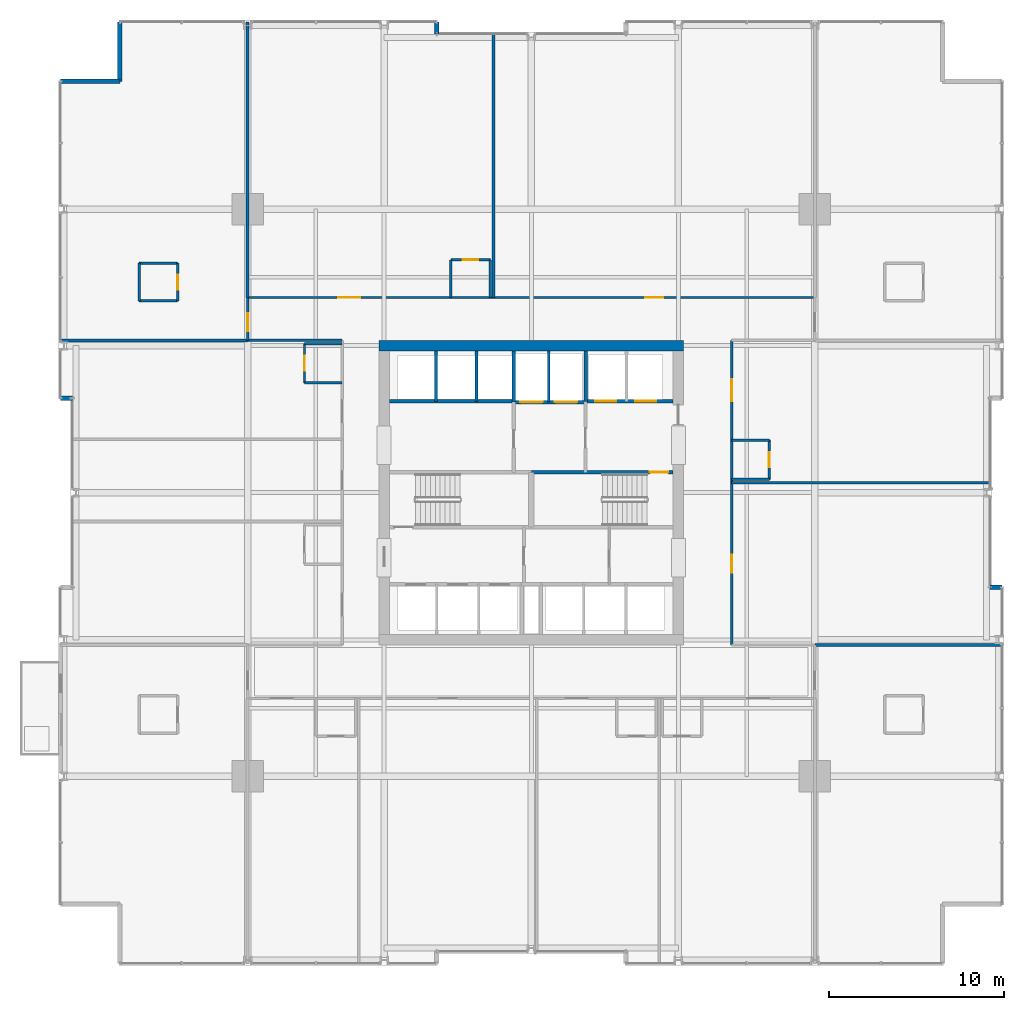
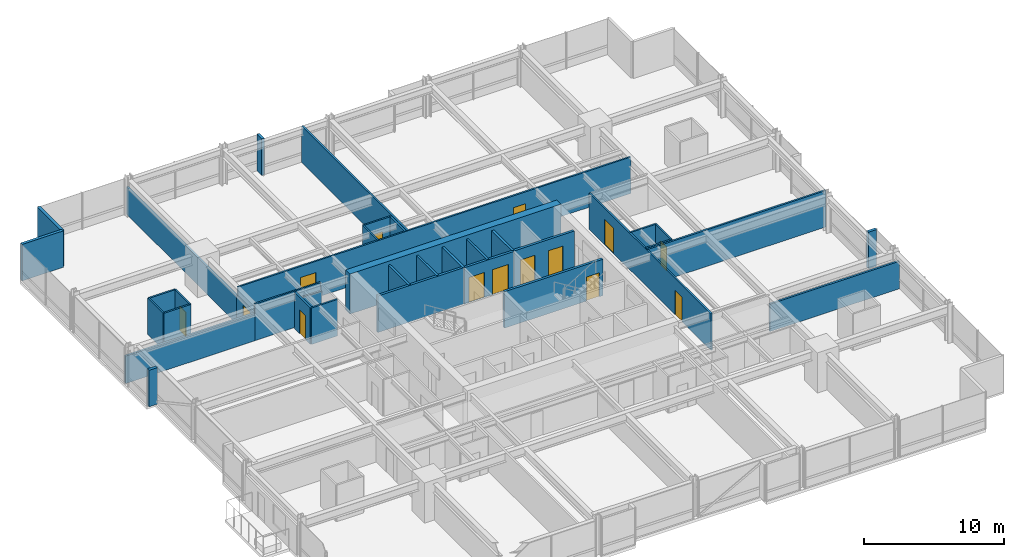
# One storey, part 32 of 37: 37 walls, 14 doors, 14 openings.
"""IFC4 building model written with IfcOpenShell, lengths in metres."""

from ifc_helpers import new_model, si_unit, direction, frame, frame_2d, origin, place, context, subcontext, project, spatial, rectangle, extrude, material, layer, layer_set, type_object, element, fill, save


model = new_model("IFC4")

# Units and contexts
model_context = context("Model", 3, precision=1e-05, world=origin(), true_north=direction((0.0, 1.0)))
body_context = subcontext(model_context, "Body", "Model", "MODEL_VIEW")
ifc_project = project(units=[si_unit("LENGTHUNIT", "METRE"), si_unit("AREAUNIT", "SQUARE_METRE"), si_unit("VOLUMEUNIT", "CUBIC_METRE"), si_unit("PLANEANGLEUNIT", "RADIAN"), si_unit("MASSUNIT", "GRAM", prefix="KILO")], contexts=[model_context])

# Site, building, storey
site_placement = place(None, origin())
site = spatial("IfcSite", under=ifc_project, at=site_placement, CompositionType="ELEMENT")
building_placement = place(site_placement, origin())
building = spatial("IfcBuilding", under=site, at=building_placement, Name="Drelvath Grand Hotel", CompositionType="ELEMENT")
storey_placement = place(building_placement, frame((0.0, 0.0, 78.699951171875)))
storey = spatial("IfcBuildingStorey", under=building, at=storey_placement, Name="L19", CompositionType="ELEMENT", Elevation=78.699951171875)

# Wall, openings, doors
ifc_material_1 = material(Name="Concrete C40/50", Category="concrete")
ifc_layer_1 = layer(ifc_material_1, 0.199951171875)
ifc_layer_set_1 = layer_set([ifc_layer_1], Name="Concrete C40/50")
wall_type_1 = type_object("IfcWallType", Name="Core Hoistway Fire Wall 200", PredefinedType="SOLIDWALL", material=ifc_layer_set_1)
wall_1_placement = place(storey_placement, frame((3.10009765625, 32.219970703125, 0.0), z_axis=(0.0, 0.0, 1.0), x_axis=(1.0, 0.0, 0.0)))
wall_1 = element("IfcWall", 1, at=wall_1_placement, inside=storey, type_object=wall_type_1, Name="L19 FSAE Hoistway Front Wall", PredefinedType="SOLIDWALL", context=body_context, shape_type="SweptSolid", body=[
    extrude(rectangle(XDim=5.0, YDim=0.199951171875, at=frame_2d((2.5, 0.0))), origin(), (0.0, 0.0, 1.0), 3.179931640625),
])
opening_1_placement = place(wall_1_placement, frame((0.550048828125, 0.0, 0.0)))
opening_1 = element("IfcOpeningElement", 2, at=opening_1_placement, cuts=wall_1, Name="Opening LD-FSAE-1", PredefinedType="OPENING", context=body_context, shape_type="SweptSolid", body=[
    extrude(rectangle(XDim=1.199951171875, YDim=2.199951171875, at=frame_2d((0.60009765625, 1.10009765625))), frame((0.0, 0.10986328125, 0.0), z_axis=(0.0, -1.0, 0.0), x_axis=(1.0, 0.0, 0.0)), (0.0, 0.0, 1.0), 0.219970703125),
])
opening_2_placement = place(wall_1_placement, frame((2.85009765625, 0.0, 0.0)))
opening_2 = element("IfcOpeningElement", 3, at=opening_2_placement, cuts=wall_1, Name="Opening LD-FSAE-2", PredefinedType="OPENING", context=body_context, shape_type="SweptSolid", body=[
    extrude(rectangle(XDim=1.199951171875, YDim=2.199951171875, at=frame_2d((0.60009765625, 1.10009765625))), frame((0.0, 0.10986328125, 0.0), z_axis=(0.0, -1.0, 0.0), x_axis=(1.0, 0.0, 0.0)), (0.0, 0.0, 1.0), 0.219970703125),
])
ifc_material_2 = material(Name="Stainless Steel S355", Category="steel")
door_type_1 = type_object("IfcDoorType", Name="FSAE Lift Sliding Landing Door 1200x2200", OperationType="NOTDEFINED", PredefinedType="DOOR", material=ifc_material_2)
door_1_placement = place(opening_1_placement, origin())
door_1 = element("IfcDoor", 4, at=door_1_placement, inside=storey, type_object=door_type_1, Name="L19 Lift FSAE-1 Landing Door", OperationType="SLIDING_TO_LEFT", OverallHeight=2.199951171875, OverallWidth=1.199951171875, PredefinedType="DOOR", context=body_context, shape_type="SweptSolid", body=[
    extrude(rectangle(XDim=1.199951171875, YDim=2.199951171875, at=frame_2d((0.60009765625, 1.10009765625))), frame((0.0, 0.02490234375, 0.0), z_axis=(0.0, -1.0, 0.0), x_axis=(1.0, 0.0, 0.0)), (0.0, 0.0, 1.0), 0.050048828125),
])
fill(opening_1, door_1)
door_2_placement = place(opening_2_placement, origin())
door_2 = element("IfcDoor", 5, at=door_2_placement, inside=storey, type_object=door_type_1, Name="L19 Lift FSAE-2 Landing Door", OperationType="SLIDING_TO_LEFT", OverallHeight=2.199951171875, OverallWidth=1.199951171875, PredefinedType="DOOR", context=body_context, shape_type="SweptSolid", body=[
    extrude(rectangle(XDim=1.199951171875, YDim=2.199951171875, at=frame_2d((0.60009765625, 1.10009765625))), frame((0.0, 0.02490234375, 0.0), z_axis=(0.0, -1.0, 0.0), x_axis=(1.0, 0.0, 0.0)), (0.0, 0.0, 1.0), 0.050048828125),
])
fill(opening_2, door_2)

# Wall
wall_2_placement = place(storey_placement, frame((3.10009765625, 32.219970703125, 0.0), z_axis=(0.0, 0.0, 1.0), x_axis=(0.0, 1.0, 0.0)))
element("IfcWall", 6, at=wall_2_placement, inside=storey, type_object=wall_type_1, Name="L19 FSAE Hoistway West Wall", PredefinedType="SOLIDWALL", context=body_context, shape_type="SweptSolid", body=[
    extrude(rectangle(XDim=2.880126953125, YDim=0.199951171875, at=frame_2d((1.43994140625, 0.0))), origin(), (0.0, 0.0, 1.0), 3.179931640625),
])

# Wall, openings, doors
wall_3_placement = place(storey_placement, frame((-1.0, 32.179931640625, 0.0), z_axis=(0.0, 0.0, 1.0), x_axis=(1.0, 0.0, 0.0)))
wall_3 = element("IfcWall", 7, at=wall_3_placement, inside=storey, type_object=wall_type_1, Name="L19 Service Lift Hoistway Wall", PredefinedType="SOLIDWALL", context=body_context, shape_type="SweptSolid", body=[
    extrude(rectangle(XDim=4.10009765625, YDim=0.199951171875, at=frame_2d((2.050048828125, 0.0))), origin(), (0.0, 0.0, 1.0), 3.179931640625),
])
opening_3_placement = place(wall_3_placement, frame((0.3701171875, 0.0, 0.0)))
opening_3 = element("IfcOpeningElement", 8, at=opening_3_placement, cuts=wall_3, Name="Opening LD-SV-2", PredefinedType="OPENING", context=body_context, shape_type="SweptSolid", body=[
    extrude(rectangle(XDim=1.300048828125, YDim=2.199951171875, at=frame_2d((0.64990234375, 1.10009765625))), frame((0.0, 0.10986328125, 0.0), z_axis=(0.0, -1.0, 0.0), x_axis=(1.0, 0.0, 0.0)), (0.0, 0.0, 1.0), 0.219970703125),
])
opening_4_placement = place(wall_3_placement, frame((2.330078125, 0.0, 0.0)))
opening_4 = element("IfcOpeningElement", 9, at=opening_4_placement, cuts=wall_3, Name="Opening LD-SV-1", PredefinedType="OPENING", context=body_context, shape_type="SweptSolid", body=[
    extrude(rectangle(XDim=1.300048828125, YDim=2.199951171875, at=frame_2d((0.64990234375, 1.10009765625))), frame((0.0, 0.10986328125, 0.0), z_axis=(0.0, -1.0, 0.0), x_axis=(1.0, 0.0, 0.0)), (0.0, 0.0, 1.0), 0.219970703125),
])
door_type_2 = type_object("IfcDoorType", Name="Service Lift Sliding Landing Door 1300x2200", OperationType="NOTDEFINED", PredefinedType="DOOR", material=ifc_material_2)
door_3_placement = place(opening_3_placement, origin())
door_3 = element("IfcDoor", 10, at=door_3_placement, inside=storey, type_object=door_type_2, Name="L19 Lift SV-2 Landing Door", OperationType="SLIDING_TO_LEFT", OverallHeight=2.199951171875, OverallWidth=1.300048828125, PredefinedType="DOOR", context=body_context, shape_type="SweptSolid", body=[
    extrude(rectangle(XDim=1.300048828125, YDim=2.199951171875, at=frame_2d((0.64990234375, 1.10009765625))), frame((0.0, 0.02490234375, 0.0), z_axis=(0.0, -1.0, 0.0), x_axis=(1.0, 0.0, 0.0)), (0.0, 0.0, 1.0), 0.050048828125),
])
fill(opening_3, door_3)
door_4_placement = place(opening_4_placement, origin())
door_4 = element("IfcDoor", 11, at=door_4_placement, inside=storey, type_object=door_type_2, Name="L19 Lift SV-1 Landing Door", OperationType="SLIDING_TO_LEFT", OverallHeight=2.199951171875, OverallWidth=1.300048828125, PredefinedType="DOOR", context=body_context, shape_type="SweptSolid", body=[
    extrude(rectangle(XDim=1.300048828125, YDim=2.199951171875, at=frame_2d((0.64990234375, 1.10009765625))), frame((0.0, 0.02490234375, 0.0), z_axis=(0.0, -1.0, 0.0), x_axis=(1.0, 0.0, 0.0)), (0.0, 0.0, 1.0), 0.050048828125),
])
fill(opening_4, door_4)

# Walls
wall_4_placement = place(storey_placement, frame((-1.0, 32.179931640625, 0.0), z_axis=(0.0, 0.0, 1.0), x_axis=(0.0, 1.0, 0.0)))
element("IfcWall", 12, at=wall_4_placement, inside=storey, type_object=wall_type_1, Name="L19 Service Lift West Wall", PredefinedType="SOLIDWALL", context=body_context, shape_type="SweptSolid", body=[
    extrude(rectangle(XDim=2.920166015625, YDim=0.199951171875, at=frame_2d((1.4599609375, 0.0))), origin(), (0.0, 0.0, 1.0), 3.179931640625),
])
wall_5_placement = place(storey_placement, frame((-8.10009765625, 32.219970703125, 0.0), z_axis=(0.0, 0.0, 1.0), x_axis=(1.0, 0.0, 0.0)))
element("IfcWall", 13, at=wall_5_placement, inside=storey, type_object=wall_type_1, Name="L19 Bank 3 Hoistway Wall", PredefinedType="SOLIDWALL", context=body_context, shape_type="SweptSolid", body=[
    extrude(rectangle(XDim=7.10009765625, YDim=0.199951171875, at=frame_2d((3.550048828125, 0.0))), origin(), (0.0, 0.0, 1.0), 3.179931640625),
])

# Wall, opening, door
ifc_layer_2 = layer(ifc_material_1, 0.199951171875)
ifc_layer_set_2 = layer_set([ifc_layer_2], Name="Concrete C40/50")
wall_type_2 = type_object("IfcWallType", Name="Core Shaft Fire Wall 200", PredefinedType="SOLIDWALL", material=ifc_layer_set_2)
wall_6_placement = place(storey_placement, frame((8.10009765625, 28.159912109375, 0.0), z_axis=(0.0, 0.0, 1.0), x_axis=(-1.0, 0.0, 0.0)))
wall_6 = element("IfcWall", 14, at=wall_6_placement, inside=storey, type_object=wall_type_2, Name="L19 Stair ST-2 North Wall", PredefinedType="SOLIDWALL", context=body_context, shape_type="SweptSolid", body=[
    extrude(rectangle(XDim=8.10009765625, YDim=0.199951171875, at=frame_2d((4.050048828125, 0.0))), origin(), (0.0, 0.0, 1.0), 3.179931640625),
])
opening_5_placement = place(wall_6_placement, frame((0.280029296875, 0.0, 0.0)))
opening_5 = element("IfcOpeningElement", 15, at=opening_5_placement, cuts=wall_6, Name="Opening D-T1G5-002", PredefinedType="OPENING", context=body_context, shape_type="SweptSolid", body=[
    extrude(rectangle(XDim=1.050048828125, YDim=2.10009765625, at=frame_2d((0.52490234375, 1.050048828125))), frame((0.0, 0.10986328125, 0.0), z_axis=(0.0, -1.0, 0.0), x_axis=(1.0, 0.0, 0.0)), (0.0, 0.0, 1.0), 0.219970703125),
])
ifc_material_3 = material(Name="Painted Steel S275", Category="steel")
door_type_3 = type_object("IfcDoorType", Name="Tower Stairwell Fire Door 1050x2100", OperationType="NOTDEFINED", PredefinedType="DOOR", material=ifc_material_3)
door_5_placement = place(opening_5_placement, origin())
door_5 = element("IfcDoor", 16, at=door_5_placement, inside=storey, type_object=door_type_3, Name="L19 Exit Stair ST-2 Door", OperationType="SINGLE_SWING_LEFT", OverallHeight=2.10009765625, OverallWidth=1.050048828125, PredefinedType="DOOR", context=body_context, shape_type="SweptSolid", body=[
    extrude(rectangle(XDim=1.050048828125, YDim=2.10009765625, at=frame_2d((0.52490234375, 1.050048828125))), frame((0.0, 0.02490234375, 0.0), z_axis=(0.0, -1.0, 0.0), x_axis=(1.0, 0.0, 0.0)), (0.0, 0.0, 1.0), 0.050048828125),
])
fill(opening_5, door_5)

# Walls
ifc_material_4 = material(Name="Gypsum Fireboard Partition")
ifc_layer_3 = layer(ifc_material_4, 0.1650390625)
ifc_layer_set_3 = layer_set([ifc_layer_3], Name="Gypsum Fireboard Partition")
wall_type_3 = type_object("IfcWallType", Name="Core Shaft Partition 165", PredefinedType="PARTITIONING", material=ifc_layer_set_3)
wall_7_placement = place(storey_placement, frame((1.0, 32.179931640625, 0.0), z_axis=(0.0, 0.0, 1.0), x_axis=(0.0, 1.0, 0.0)))
element("IfcWall", 17, at=wall_7_placement, inside=storey, type_object=wall_type_3, Name="L19 Service Lift Divider", PredefinedType="PARTITIONING", context=body_context, shape_type="SweptSolid", body=[
    extrude(rectangle(XDim=2.920166015625, YDim=0.1650390625, at=frame_2d((1.4599609375, 0.0))), origin(), (0.0, 0.0, 1.0), 3.179931640625),
])
for number, where, z_axis, x_axis, name in (
    (18, (-5.43994140625, 32.219970703125, 0.0), (0.0, 0.0, 1.0), (0.0, 1.0, 0.0), "L19 Lift PE-7/8 Divider"),
    (19, (-3.1201171875, 32.219970703125, 0.0), (0.0, 0.0, 1.0), (0.0, 1.0, 0.0), "L19 Lift PE-8/9 Divider"),
):
    element("IfcWall", number, at=place(storey_placement, frame(where, z_axis=z_axis, x_axis=x_axis)), inside=storey, type_object=wall_type_3, Name=name, PredefinedType="PARTITIONING", context=body_context, shape_type="SweptSolid", body=[
        extrude(rectangle(XDim=2.880126953125, YDim=0.1650390625, at=frame_2d((1.43994140625, 0.0))), origin(), (0.0, 0.0, 1.0), 3.179931640625),
    ])

# Wall, openings, doors
ifc_layer_4 = layer(ifc_material_4, 0.135009765625)
ifc_layer_set_4 = layer_set([ifc_layer_4], Name="Gypsum Fireboard Partition")
wall_type_4 = type_object("IfcWallType", Name="Corridor Fire Barrier Wall 135", PredefinedType="PARTITIONING", material=ifc_layer_set_4)
wall_8_placement = place(storey_placement, frame((-16.199951171875, 38.14990234375, 0.0), z_axis=(0.0, 0.0, 1.0), x_axis=(1.0, 0.0, 0.0)))
wall_8 = element("IfcWall", 20, at=wall_8_placement, inside=storey, type_object=wall_type_4, Name="L19 North Corridor Wall", PredefinedType="PARTITIONING", context=body_context, shape_type="SweptSolid", body=[
    extrude(rectangle(XDim=32.39990234375, YDim=0.135009765625, at=frame_2d((16.199951171875, 0.0))), origin(), (0.0, 0.0, 1.0), 3.179931640625),
])
opening_6_placement = place(wall_8_placement, frame((5.175048828125, 0.0, 0.0)))
opening_6 = element("IfcOpeningElement", 21, at=opening_6_placement, cuts=wall_8, Name="Opening D-T1G5-032", PredefinedType="OPENING", context=body_context, shape_type="SweptSolid", body=[
    extrude(rectangle(XDim=1.260009765625, YDim=2.199951171875, at=frame_2d((0.6298828125, 1.10009765625))), frame((0.0, 0.077392578125, 0.0), z_axis=(0.0, -1.0, 0.0), x_axis=(1.0, 0.0, 0.0)), (0.0, 0.0, 1.0), 0.155029296875),
])
opening_7_placement = place(wall_8_placement, frame((22.7099609375, 0.0, 0.0)))
opening_7 = element("IfcOpeningElement", 22, at=opening_7_placement, cuts=wall_8, Name="Opening D-T1G5-033", PredefinedType="OPENING", context=body_context, shape_type="SweptSolid", body=[
    extrude(rectangle(XDim=1.02001953125, YDim=2.14990234375, at=frame_2d((0.510009765625, 1.074951171875))), frame((0.0, 0.077392578125, 0.0), z_axis=(0.0, -1.0, 0.0), x_axis=(1.0, 0.0, 0.0)), (0.0, 0.0, 1.0), 0.155029296875),
])
ifc_material_5 = material(Name="Hardwood Walnut Timber", Category="wood")
door_type_4 = type_object("IfcDoorType", Name="Amenity Meeting Fire Door 1020x2150", OperationType="NOTDEFINED", PredefinedType="DOOR", material=ifc_material_5)
door_6_placement = place(opening_7_placement, origin())
door_6 = element("IfcDoor", 23, at=door_6_placement, inside=storey, type_object=door_type_4, Name="L19 Champagne Tea Salon Entry Door", OperationType="SINGLE_SWING_RIGHT", OverallHeight=2.14990234375, OverallWidth=1.02001953125, PredefinedType="DOOR", context=body_context, shape_type="SweptSolid", body=[
    extrude(rectangle(XDim=1.02001953125, YDim=2.14990234375, at=frame_2d((0.510009765625, 1.074951171875))), frame((0.0, 0.02490234375, 0.0), z_axis=(0.0, -1.0, 0.0), x_axis=(1.0, 0.0, 0.0)), (0.0, 0.0, 1.0), 0.050048828125),
])
fill(opening_7, door_6)
door_type_5 = type_object("IfcDoorType", Name="Suite Entrance Fire Door 1260x2200", OperationType="NOTDEFINED", PredefinedType="DOOR", material=ifc_material_5)
door_7_placement = place(opening_6_placement, origin())
door_7 = element("IfcDoor", 24, at=door_7_placement, inside=storey, type_object=door_type_5, Name="L19 Corner Suite Entry Door", OperationType="SINGLE_SWING_LEFT", OverallHeight=2.199951171875, OverallWidth=1.260009765625, PredefinedType="DOOR", context=body_context, shape_type="SweptSolid", body=[
    extrude(rectangle(XDim=1.260009765625, YDim=2.199951171875, at=frame_2d((0.6298828125, 1.10009765625))), frame((0.0, 0.02490234375, 0.0), z_axis=(0.0, -1.0, 0.0), x_axis=(1.0, 0.0, 0.0)), (0.0, 0.0, 1.0), 0.050048828125),
])
fill(opening_6, door_7)

# Wall
wall_9_placement = place(storey_placement, frame((-16.199951171875, 35.699951171875, 0.0), z_axis=(0.0, 0.0, 1.0), x_axis=(1.0, 0.0, 0.0)))
element("IfcWall", 25, at=wall_9_placement, inside=storey, type_object=wall_type_4, Name="L19 NW Spur Inner Wall", PredefinedType="PARTITIONING", context=body_context, shape_type="SweptSolid", body=[
    extrude(rectangle(XDim=5.39990234375, YDim=0.135009765625, at=frame_2d((2.699951171875, 0.0))), origin(), (0.0, 0.0, 1.0), 3.179931640625),
])

# Wall, openings, doors
wall_10_placement = place(storey_placement, frame((11.449951171875, 18.300048828125, 0.0), z_axis=(0.0, 0.0, 1.0), x_axis=(0.0, 1.0, 0.0)))
wall_10 = element("IfcWall", 26, at=wall_10_placement, inside=storey, type_object=wall_type_4, Name="L19 East Corridor Wall", PredefinedType="PARTITIONING", context=body_context, shape_type="SweptSolid", body=[
    extrude(rectangle(XDim=17.39990234375, YDim=0.135009765625, at=frame_2d((8.699951171875, 0.0))), origin(), (0.0, 0.0, 1.0), 3.179931640625),
])
opening_8_placement = place(wall_10_placement, frame((4.1298828125, 0.0, 0.0)))
opening_8 = element("IfcOpeningElement", 27, at=opening_8_placement, cuts=wall_10, Name="Opening D-T1G5-039", PredefinedType="OPENING", context=body_context, shape_type="SweptSolid", body=[
    extrude(rectangle(XDim=1.02001953125, YDim=2.14990234375, at=frame_2d((0.510009765625, 1.074951171875))), frame((0.0, 0.077392578125, 0.0), z_axis=(0.0, -1.0, 0.0), x_axis=(1.0, 0.0, 0.0)), (0.0, 0.0, 1.0), 0.155029296875),
])
opening_9_placement = place(wall_10_placement, frame((13.925048828125, 0.0, 0.0)))
opening_9 = element("IfcOpeningElement", 28, at=opening_9_placement, cuts=wall_10, Name="Opening D-T1G5-041", PredefinedType="OPENING", context=body_context, shape_type="SweptSolid", body=[
    extrude(rectangle(XDim=1.260009765625, YDim=2.199951171875, at=frame_2d((0.6298828125, 1.10009765625))), frame((0.0, 0.077392578125, 0.0), z_axis=(0.0, -1.0, 0.0), x_axis=(1.0, 0.0, 0.0)), (0.0, 0.0, 1.0), 0.155029296875),
])
door_8_placement = place(opening_8_placement, origin())
door_8 = element("IfcDoor", 29, at=door_8_placement, inside=storey, type_object=door_type_4, Name="L19 Guest Relations Office Entry Door", OperationType="SINGLE_SWING_RIGHT", OverallHeight=2.14990234375, OverallWidth=1.02001953125, PredefinedType="DOOR", context=body_context, shape_type="SweptSolid", body=[
    extrude(rectangle(XDim=1.02001953125, YDim=2.14990234375, at=frame_2d((0.510009765625, 1.074951171875))), frame((0.0, 0.02490234375, 0.0), z_axis=(0.0, -1.0, 0.0), x_axis=(1.0, 0.0, 0.0)), (0.0, 0.0, 1.0), 0.050048828125),
])
fill(opening_8, door_8)
door_9_placement = place(opening_9_placement, origin())
door_9 = element("IfcDoor", 30, at=door_9_placement, inside=storey, type_object=door_type_5, Name="L19 Corner Suite Entry Door", OperationType="SINGLE_SWING_RIGHT", OverallHeight=2.199951171875, OverallWidth=1.260009765625, PredefinedType="DOOR", context=body_context, shape_type="SweptSolid", body=[
    extrude(rectangle(XDim=1.260009765625, YDim=2.199951171875, at=frame_2d((0.6298828125, 1.10009765625))), frame((0.0, 0.02490234375, 0.0), z_axis=(0.0, -1.0, 0.0), x_axis=(1.0, 0.0, 0.0)), (0.0, 0.0, 1.0), 0.050048828125),
])
fill(opening_9, door_9)

# Wall, opening, door
wall_11_placement = place(storey_placement, frame((-16.199951171875, 35.699951171875, 0.0), z_axis=(0.0, 0.0, 1.0), x_axis=(0.0, 1.0, 0.0)))
wall_11 = element("IfcWall", 31, at=wall_11_placement, inside=storey, type_object=wall_type_4, Name="L19 North Corridor West End", PredefinedType="PARTITIONING", context=body_context, shape_type="SweptSolid", body=[
    extrude(rectangle(XDim=2.449951171875, YDim=0.135009765625, at=frame_2d((1.22509765625, 0.0))), origin(), (0.0, 0.0, 1.0), 2.391845703125),
])
opening_10_placement = place(wall_11_placement, frame((0.52001953125, 0.0, 0.0)))
opening_10 = element("IfcOpeningElement", 32, at=opening_10_placement, cuts=wall_11, Name="Opening D-T1G5-021", PredefinedType="OPENING", context=body_context, shape_type="SweptSolid", body=[
    extrude(rectangle(XDim=1.02001953125, YDim=2.14990234375, at=frame_2d((0.510009765625, 1.074951171875))), frame((0.0, 0.077392578125, 0.0), z_axis=(0.0, -1.0, 0.0), x_axis=(1.0, 0.0, 0.0)), (0.0, 0.0, 1.0), 0.155029296875),
])
door_10_placement = place(opening_10_placement, origin())
door_10 = element("IfcDoor", 33, at=door_10_placement, inside=storey, type_object=door_type_4, Name="L19 Corner Suite Entry Door", OperationType="SINGLE_SWING_RIGHT", OverallHeight=2.14990234375, OverallWidth=1.02001953125, PredefinedType="DOOR", context=body_context, shape_type="SweptSolid", body=[
    extrude(rectangle(XDim=1.02001953125, YDim=2.14990234375, at=frame_2d((0.510009765625, 1.074951171875))), frame((0.0, 0.02490234375, 0.0), z_axis=(0.0, -1.0, 0.0), x_axis=(1.0, 0.0, 0.0)), (0.0, 0.0, 1.0), 0.050048828125),
])
fill(opening_10, door_10)

# Walls
ifc_material_6 = material(Name="Moisture-Resistant Gypsum Board")
ifc_layer_5 = layer(ifc_material_6, 0.139892578125)
ifc_layer_set_5 = layer_set([ifc_layer_5], Name="Moisture-Resistant Gypsum Board")
wall_type_5 = type_object("IfcWallType", Name="En-Suite Plumbing Wall 140", PredefinedType="PLUMBINGWALL", material=ifc_layer_set_5)
for number, where, z_axis, x_axis, name in (
    (34, (-22.39990234375, 37.9599609375, 0.0), (0.0, 0.0, 1.0), (1.0, 0.0, 0.0), "L19 Corner En-Suite South"),
    (35, (-22.39990234375, 40.110107421875, 0.0), (0.0, 0.0, 1.0), (1.0, 0.0, 0.0), "L19 Corner En-Suite North"),
):
    element("IfcWall", number, at=place(storey_placement, frame(where, z_axis=z_axis, x_axis=x_axis)), inside=storey, type_object=wall_type_5, Name=name, PredefinedType="PLUMBINGWALL", context=body_context, shape_type="SweptSolid", body=[
        extrude(rectangle(XDim=2.199951171875, YDim=0.139892578125, at=frame_2d((1.10009765625, 0.0))), origin(), (0.0, 0.0, 1.0), 3.179931640625),
    ])
wall_12_placement = place(storey_placement, frame((-22.39990234375, 37.9599609375, 0.0), z_axis=(0.0, 0.0, 1.0), x_axis=(0.0, 1.0, 0.0)))
element("IfcWall", 36, at=wall_12_placement, inside=storey, type_object=wall_type_5, Name="L19 Corner En-Suite West", PredefinedType="PLUMBINGWALL", context=body_context, shape_type="SweptSolid", body=[
    extrude(rectangle(XDim=2.150146484375, YDim=0.139892578125, at=frame_2d((1.0751953125, 0.0))), origin(), (0.0, 0.0, 1.0), 3.179931640625),
])

# Wall, opening, door
wall_13_placement = place(storey_placement, frame((-20.199951171875, 37.9599609375, 0.0), z_axis=(0.0, 0.0, 1.0), x_axis=(0.0, 1.0, 0.0)))
wall_13 = element("IfcWall", 37, at=wall_13_placement, inside=storey, type_object=wall_type_5, Name="L19 Corner En-Suite East", PredefinedType="PLUMBINGWALL", context=body_context, shape_type="SweptSolid", body=[
    extrude(rectangle(XDim=2.150146484375, YDim=0.139892578125, at=frame_2d((1.0751953125, 0.0))), origin(), (0.0, 0.0, 1.0), 3.179931640625),
])
opening_11_placement = place(wall_13_placement, frame((0.6201171875, 0.0, 0.0)))
opening_11 = element("IfcOpeningElement", 38, at=opening_11_placement, cuts=wall_13, Name="Opening D-T1G5-020", PredefinedType="OPENING", context=body_context, shape_type="SweptSolid", body=[
    extrude(rectangle(XDim=0.8798828125, YDim=2.10009765625, at=frame_2d((0.43994140625, 1.050048828125))), frame((0.0, 0.079833984375, 0.0), z_axis=(0.0, -1.0, 0.0), x_axis=(1.0, 0.0, 0.0)), (0.0, 0.0, 1.0), 0.159912109375),
])
door_type_6 = type_object("IfcDoorType", Name="En-Suite Bathroom Door 880x2100", OperationType="NOTDEFINED", PredefinedType="DOOR", material=ifc_material_5)
door_11_placement = place(opening_11_placement, origin())
door_11 = element("IfcDoor", 39, at=door_11_placement, inside=storey, type_object=door_type_6, Name="L19 Corner En-Suite Door", OperationType="SINGLE_SWING_LEFT", OverallHeight=2.10009765625, OverallWidth=0.8798828125, PredefinedType="DOOR", context=body_context, shape_type="SweptSolid", body=[
    extrude(rectangle(XDim=0.8798828125, YDim=2.10009765625, at=frame_2d((0.43994140625, 1.050048828125))), frame((0.0, 0.02490234375, 0.0), z_axis=(0.0, -1.0, 0.0), x_axis=(1.0, 0.0, 0.0)), (0.0, 0.0, 1.0), 0.050048828125),
])
fill(opening_11, door_11)

# Walls
for number, where, z_axis, x_axis, name in (
    (40, (-4.590087890625, 38.14990234375, 0.0), (0.0, 0.0, 1.0), (0.0, 1.0, 0.0), "L19 En-Suite Left Wall"),
    (41, (-2.340087890625, 38.14990234375, 0.0), (0.0, 0.0, 1.0), (0.0, 1.0, 0.0), "L19 En-Suite Right Wall"),
):
    element("IfcWall", number, at=place(storey_placement, frame(where, z_axis=z_axis, x_axis=x_axis)), inside=storey, type_object=wall_type_5, Name=name, PredefinedType="PLUMBINGWALL", context=body_context, shape_type="SweptSolid", body=[
        extrude(rectangle(XDim=2.150146484375, YDim=0.139892578125, at=frame_2d((1.0751953125, 0.0))), origin(), (0.0, 0.0, 1.0), 3.179931640625),
    ])

# Wall, opening, door
wall_14_placement = place(storey_placement, frame((-4.590087890625, 40.300048828125, 0.0), z_axis=(0.0, 0.0, 1.0), x_axis=(1.0, 0.0, 0.0)))
wall_14 = element("IfcWall", 42, at=wall_14_placement, inside=storey, type_object=wall_type_5, Name="L19 En-Suite Front Wall", PredefinedType="PLUMBINGWALL", context=body_context, shape_type="SweptSolid", body=[
    extrude(rectangle(XDim=2.25, YDim=0.139892578125, at=frame_2d((1.125, 0.0))), origin(), (0.0, 0.0, 1.0), 3.179931640625),
])
opening_12_placement = place(wall_14_placement, frame((0.68505859375, 0.0, 0.0)))
opening_12 = element("IfcOpeningElement", 43, at=opening_12_placement, cuts=wall_14, Name="Opening D-T1G5-031", PredefinedType="OPENING", context=body_context, shape_type="SweptSolid", body=[
    extrude(rectangle(XDim=0.8798828125, YDim=2.10009765625, at=frame_2d((0.43994140625, 1.050048828125))), frame((0.0, 0.079833984375, 0.0), z_axis=(0.0, -1.0, 0.0), x_axis=(1.0, 0.0, 0.0)), (0.0, 0.0, 1.0), 0.159912109375),
])
door_12_placement = place(opening_12_placement, origin())
door_12 = element("IfcDoor", 44, at=door_12_placement, inside=storey, type_object=door_type_6, Name="L19 En-Suite Bathroom Door", OperationType="SINGLE_SWING_RIGHT", OverallHeight=2.10009765625, OverallWidth=0.8798828125, PredefinedType="DOOR", context=body_context, shape_type="SweptSolid", body=[
    extrude(rectangle(XDim=0.8798828125, YDim=2.10009765625, at=frame_2d((0.43994140625, 1.050048828125))), frame((0.0, 0.02490234375, 0.0), z_axis=(0.0, -1.0, 0.0), x_axis=(1.0, 0.0, 0.0)), (0.0, 0.0, 1.0), 0.050048828125),
])
fill(opening_12, door_12)

# Walls
wall_15_placement = place(storey_placement, frame((-10.800048828125, 33.27001953125, 0.0), z_axis=(0.0, 0.0, 1.0), x_axis=(-1.0, 0.0, 0.0)))
element("IfcWall", 45, at=wall_15_placement, inside=storey, type_object=wall_type_5, Name="L19 En-Suite Left Wall", PredefinedType="PLUMBINGWALL", context=body_context, shape_type="SweptSolid", body=[
    extrude(rectangle(XDim=2.14990234375, YDim=0.139892578125, at=frame_2d((1.074951171875, 0.0))), origin(), (0.0, 0.0, 1.0), 3.179931640625),
])
wall_16_placement = place(storey_placement, frame((-10.800048828125, 35.52001953125, 0.0), z_axis=(0.0, 0.0, 1.0), x_axis=(-1.0, 0.0, 0.0)))
element("IfcWall", 46, at=wall_16_placement, inside=storey, type_object=wall_type_5, Name="L19 En-Suite Right Wall", PredefinedType="PLUMBINGWALL", context=body_context, shape_type="SweptSolid", body=[
    extrude(rectangle(XDim=2.14990234375, YDim=0.139892578125, at=frame_2d((1.074951171875, 0.0))), origin(), (0.0, 0.0, 1.0), 2.557373046875),
])

# Wall, opening, door
wall_17_placement = place(storey_placement, frame((-12.949951171875, 33.27001953125, 0.0), z_axis=(0.0, 0.0, 1.0), x_axis=(0.0, 1.0, 0.0)))
wall_17 = element("IfcWall", 47, at=wall_17_placement, inside=storey, type_object=wall_type_5, Name="L19 En-Suite Front Wall", PredefinedType="PLUMBINGWALL", context=body_context, shape_type="SweptSolid", body=[
    extrude(rectangle(XDim=2.25, YDim=0.139892578125, at=frame_2d((1.125, 0.0))), origin(), (0.0, 0.0, 1.0), 3.179931640625),
])
opening_13_placement = place(wall_17_placement, frame((0.68505859375, 0.0, 0.0)))
opening_13 = element("IfcOpeningElement", 48, at=opening_13_placement, cuts=wall_17, Name="Opening D-T1G5-037", PredefinedType="OPENING", context=body_context, shape_type="SweptSolid", body=[
    extrude(rectangle(XDim=0.8798828125, YDim=2.10009765625, at=frame_2d((0.43994140625, 1.050048828125))), frame((0.0, 0.079833984375, 0.0), z_axis=(0.0, -1.0, 0.0), x_axis=(1.0, 0.0, 0.0)), (0.0, 0.0, 1.0), 0.159912109375),
])
door_13_placement = place(opening_13_placement, origin())
door_13 = element("IfcDoor", 49, at=door_13_placement, inside=storey, type_object=door_type_6, Name="L19 En-Suite Bathroom Door", OperationType="SINGLE_SWING_RIGHT", OverallHeight=2.10009765625, OverallWidth=0.8798828125, PredefinedType="DOOR", context=body_context, shape_type="SweptSolid", body=[
    extrude(rectangle(XDim=0.8798828125, YDim=2.10009765625, at=frame_2d((0.43994140625, 1.050048828125))), frame((0.0, 0.02490234375, 0.0), z_axis=(0.0, -1.0, 0.0), x_axis=(1.0, 0.0, 0.0)), (0.0, 0.0, 1.0), 0.050048828125),
])
fill(opening_13, door_13)

# Walls
for number, where, z_axis, x_axis, name in (
    (50, (11.449951171875, 27.760009765625, 0.0), (0.0, 0.0, 1.0), (1.0, 0.0, 0.0), "L19 En-Suite Left Wall"),
    (51, (11.449951171875, 30.010009765625, 0.0), (0.0, 0.0, 1.0), (1.0, 0.0, 0.0), "L19 En-Suite Right Wall"),
):
    element("IfcWall", number, at=place(storey_placement, frame(where, z_axis=z_axis, x_axis=x_axis)), inside=storey, type_object=wall_type_5, Name=name, PredefinedType="PLUMBINGWALL", context=body_context, shape_type="SweptSolid", body=[
        extrude(rectangle(XDim=2.150146484375, YDim=0.139892578125, at=frame_2d((1.0751953125, 0.0))), origin(), (0.0, 0.0, 1.0), 3.179931640625),
    ])

# Wall, opening, door
wall_18_placement = place(storey_placement, frame((13.60009765625, 27.760009765625, 0.0), z_axis=(0.0, 0.0, 1.0), x_axis=(0.0, 1.0, 0.0)))
wall_18 = element("IfcWall", 52, at=wall_18_placement, inside=storey, type_object=wall_type_5, Name="L19 En-Suite Front Wall", PredefinedType="PLUMBINGWALL", context=body_context, shape_type="SweptSolid", body=[
    extrude(rectangle(XDim=2.25, YDim=0.139892578125, at=frame_2d((1.125, 0.0))), origin(), (0.0, 0.0, 1.0), 3.179931640625),
])
opening_14_placement = place(wall_18_placement, frame((0.68505859375, 0.0, 0.0)))
opening_14 = element("IfcOpeningElement", 53, at=opening_14_placement, cuts=wall_18, Name="Opening D-T1G5-040", PredefinedType="OPENING", context=body_context, shape_type="SweptSolid", body=[
    extrude(rectangle(XDim=0.8798828125, YDim=2.10009765625, at=frame_2d((0.43994140625, 1.050048828125))), frame((0.0, 0.079833984375, 0.0), z_axis=(0.0, -1.0, 0.0), x_axis=(1.0, 0.0, 0.0)), (0.0, 0.0, 1.0), 0.159912109375),
])
door_14_placement = place(opening_14_placement, origin())
door_14 = element("IfcDoor", 54, at=door_14_placement, inside=storey, type_object=door_type_6, Name="L19 En-Suite Bathroom Door", OperationType="SINGLE_SWING_LEFT", OverallHeight=2.10009765625, OverallWidth=0.8798828125, PredefinedType="DOOR", context=body_context, shape_type="SweptSolid", body=[
    extrude(rectangle(XDim=0.8798828125, YDim=2.10009765625, at=frame_2d((0.43994140625, 1.050048828125))), frame((0.0, 0.02490234375, 0.0), z_axis=(0.0, -1.0, 0.0), x_axis=(1.0, 0.0, 0.0)), (0.0, 0.0, 1.0), 0.050048828125),
])
fill(opening_14, door_14)

# Walls
ifc_material_7 = material(Name="Gypsum Acoustic Partition")
ifc_layer_6 = layer(ifc_material_7, 0.14990234375)
ifc_layer_set_6 = layer_set([ifc_layer_6], Name="Gypsum Acoustic Partition")
wall_type_6 = type_object("IfcWallType", Name="Guestroom Demising Wall 150", PredefinedType="PARTITIONING", material=ifc_layer_set_6)
wall_19_placement = place(storey_placement, frame((-2.159912109375, 38.14990234375, 0.0), z_axis=(0.0, 0.0, 1.0), x_axis=(0.0, 1.0, 0.0)))
element("IfcWall", 55, at=wall_19_placement, inside=storey, type_object=wall_type_6, Name="L19 North Demising 1", PredefinedType="PARTITIONING", context=body_context, shape_type="SweptSolid", body=[
    extrude(rectangle(XDim=15.050048828125, YDim=0.14990234375, at=frame_2d((7.52490234375, 0.0))), origin(), (0.0, 0.0, 1.0), 3.179931640625),
])
wall_20_placement = place(storey_placement, frame((11.449951171875, 27.580078125, 0.0), z_axis=(0.0, 0.0, 1.0), x_axis=(1.0, 0.0, 0.0)))
element("IfcWall", 56, at=wall_20_placement, inside=storey, type_object=wall_type_6, Name="L19 East Demising 1", PredefinedType="PARTITIONING", context=body_context, shape_type="SweptSolid", body=[
    extrude(rectangle(XDim=14.75, YDim=0.14990234375, at=frame_2d((7.375, 0.0))), origin(), (0.0, 0.0, 1.0), 3.179931640625),
])
ifc_material_8 = material(Name="Concrete f'c 70 MPa", Category="concrete")
ifc_layer_7 = layer(ifc_material_8, 0.60009765625)
ifc_layer_set_7 = layer_set([ifc_layer_7], Name="Concrete f'c 70 MPa")
wall_type_7 = type_object("IfcWallType", Name="Lower Core RC Shear Wall 600", PredefinedType="SHEAR", material=ifc_layer_set_7)
wall_21_placement = place(storey_placement, frame((-8.699951171875, 35.39990234375, 0.0), z_axis=(0.0, 0.0, 1.0), x_axis=(1.0, 0.0, 0.0)))
element("IfcWall", 57, at=wall_21_placement, inside=storey, type_object=wall_type_7, Name="L19 Central Core Shear Wall N", PredefinedType="SHEAR", context=body_context, shape_type="SweptSolid", body=[
    extrude(rectangle(XDim=17.39990234375, YDim=0.60009765625, at=frame_2d((8.699951171875, 0.0))), origin(), (0.0, 0.0, 1.0), 3.5),
])
ifc_layer_8 = layer(ifc_material_7, 0.1650390625)
ifc_layer_set_8 = layer_set([ifc_layer_8], Name="Gypsum Acoustic Partition")
wall_type_8 = type_object("IfcWallType", Name="Suite Demising Wall 165", PredefinedType="PARTITIONING", material=ifc_layer_set_8)
wall_22_placement = place(storey_placement, frame((-16.199951171875, 38.14990234375, 0.0), z_axis=(0.0, 0.0, 1.0), x_axis=(0.0, 1.0, 0.0)))
element("IfcWall", 58, at=wall_22_placement, inside=storey, type_object=wall_type_8, Name="L19 NW Wing Boundary Wall", PredefinedType="PARTITIONING", context=body_context, shape_type="SweptSolid", body=[
    extrude(rectangle(XDim=15.72998046875, YDim=0.1650390625, at=frame_2d((7.864990234375, 0.0))), origin(), (0.0, 0.0, 1.0), 2.391845703125),
])
for number, where, z_axis, x_axis, name in (
    (59, (16.199951171875, 18.300048828125, 0.0), (0.0, 0.0, 1.0), (1.0, 0.0, 0.0), "L19 SE Corner North Wall"),
    (60, (-26.8798828125, 35.699951171875, 0.0), (0.0, 0.0, 1.0), (1.0, 0.0, 0.0), "L19 NW Corner South Wall"),
):
    element("IfcWall", number, at=place(storey_placement, frame(where, z_axis=z_axis, x_axis=x_axis)), inside=storey, type_object=wall_type_8, Name=name, PredefinedType="PARTITIONING", context=body_context, shape_type="SweptSolid", body=[
        extrude(rectangle(XDim=10.679931640625, YDim=0.1650390625, at=frame_2d((5.33984375, 0.0))), origin(), (0.0, 0.0, 1.0), 2.391845703125),
    ])
ifc_material_9 = material(Name="Pale-Metal Insulated Aluminium Spandrel Assembly", Category="aluminium")
ifc_layer_9 = layer(ifc_material_9, 0.239990234375)
ifc_layer_set_9 = layer_set([ifc_layer_9], Name="Pale-Metal Insulated Aluminium Spandrel Assembly")
wall_type_9 = type_object("IfcWallType", Name="Tower Insulated Metal Spandrel Closure Wall 240", PredefinedType="STANDARD", material=ifc_layer_set_9)
for number, where, z_axis, x_axis, name in (
    (61, (-26.8798828125, 50.5, 0.0), (0.0, 0.0, 1.0), (1.0, 0.0, 0.0), "L19 Notched Corner Return Spandrel Wall CNW1"),
    (62, (-23.5, 50.5, 0.0), (0.0, 0.0, 1.0), (0.0, 1.0, 0.0), "L19 Notched Corner Return Spandrel Wall CNW2"),
):
    element("IfcWall", number, at=place(storey_placement, frame(where, z_axis=z_axis, x_axis=x_axis)), inside=storey, type_object=wall_type_9, Name=name, PredefinedType="STANDARD", context=body_context, shape_type="SweptSolid", body=[
        extrude(rectangle(XDim=3.3798828125, YDim=0.239990234375, at=frame_2d((1.68994140625, 0.0))), origin(), (0.0, 0.0, 1.0), 3.179931640625),
    ])
for number, where, z_axis, x_axis, name in (
    (63, (-26.199951171875, 32.39990234375, 0.0), (0.0, 0.0, 1.0), (-1.0, 0.0, 0.0), "L19 Notched Corner Return Spandrel Wall RW2"),
    (64, (26.199951171875, 21.60009765625, 0.0), (0.0, 0.0, 1.0), (1.0, 0.0, 0.0), "L19 Notched Corner Return Spandrel Wall RE2"),
    (65, (-5.39990234375, 53.8798828125, 0.0), (0.0, 0.0, 1.0), (0.0, -1.0, 0.0), "L19 Notched Corner Return Spandrel Wall RN1"),
):
    element("IfcWall", number, at=place(storey_placement, frame(where, z_axis=z_axis, x_axis=x_axis)), inside=storey, type_object=wall_type_9, Name=name, PredefinedType="STANDARD", context=body_context, shape_type="SweptSolid", body=[
        extrude(rectangle(XDim=0.679931640625, YDim=0.239990234375, at=frame_2d((0.33984375, 0.0))), origin(), (0.0, 0.0, 1.0), 3.179931640625),
    ])

save(model, "model.ifc")
